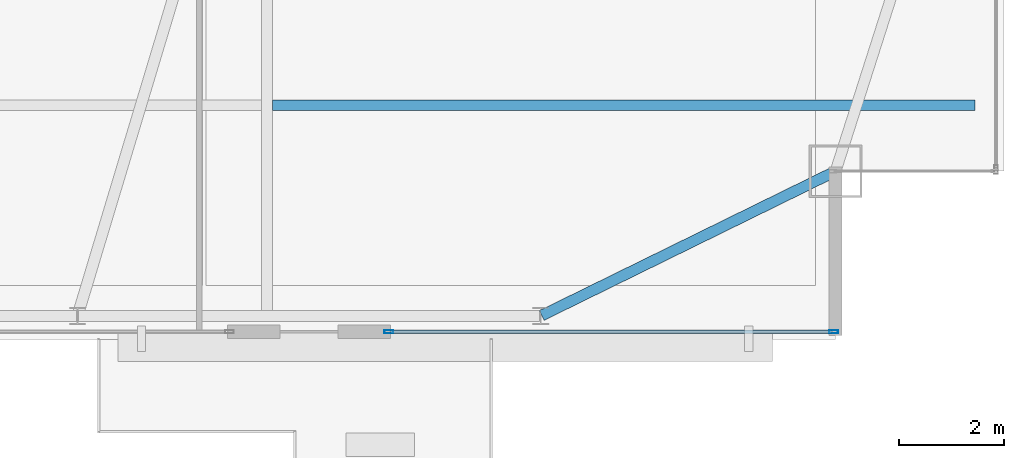
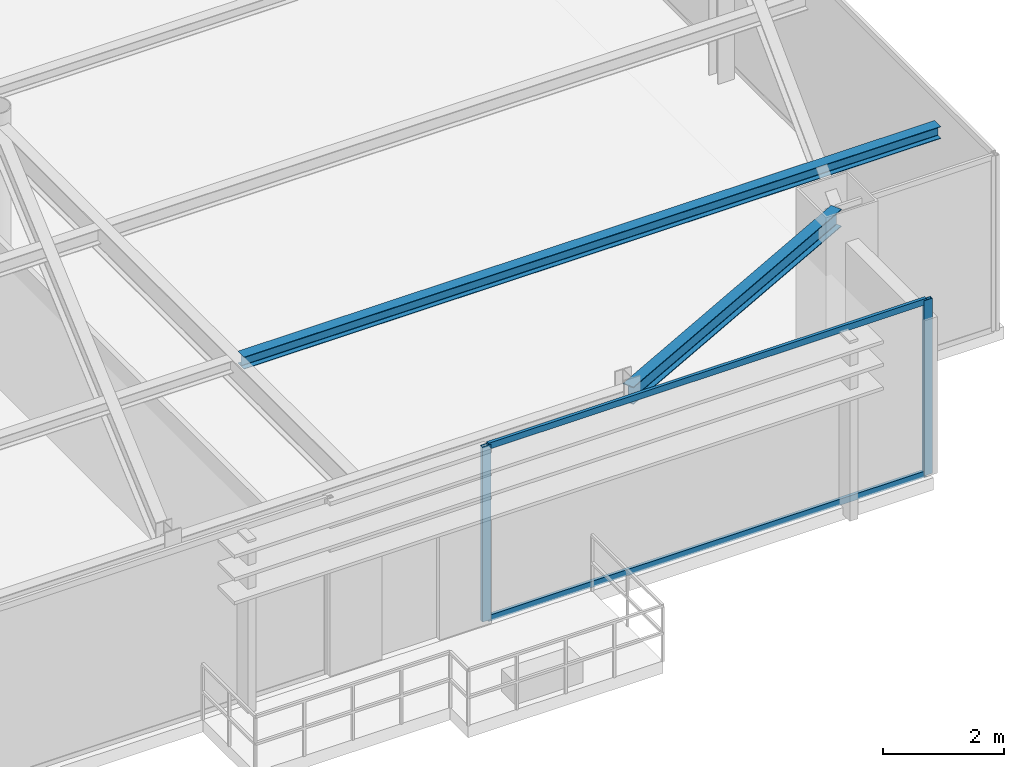
# One storey, part 11 of 23: 4 members, 2 beams, 1 element without a shape of its own.
"""IFC4 building model written with IfcOpenShell, lengths in metres."""

from ifc_helpers import new_model, si_unit, direction, frame, origin, origin_2d, place, context, subcontext, project, spatial, hollow_rectangle, i_section, extrude, source, transform, mapped, material, layer, layer_set, material_profile, profile_set, type_object, type_shapes, element, aggregate, save


model = new_model("IFC4")

# Units and contexts
model_context = context("Model", 3, precision=1e-05, world=origin(), true_north=direction((0.0, 1.0)))
body_context = subcontext(model_context, "Body", "Model", "MODEL_VIEW")
ifc_project = project(units=[si_unit("LENGTHUNIT", "METRE"), si_unit("AREAUNIT", "SQUARE_METRE"), si_unit("VOLUMEUNIT", "CUBIC_METRE"), si_unit("PLANEANGLEUNIT", "RADIAN"), si_unit("MASSUNIT", "GRAM", prefix="KILO")], contexts=[model_context])

# Site, building, storey
site_placement = place(None, origin())
site = spatial("IfcSite", under=ifc_project, at=site_placement, CompositionType="ELEMENT")
building_placement = place(site_placement, origin())
building = spatial("IfcBuilding", under=site, at=building_placement, Name="Varnel Quay Broadcast Tower", CompositionType="ELEMENT")
storey_placement = place(building_placement, frame((0.0, 0.0, 266.0)))
storey = spatial("IfcBuildingStorey", under=building, at=storey_placement, Name="L66", CompositionType="ELEMENT", Elevation=266.0)

# Beams
ifc_material_1 = material(Name="Structural Steel CSA G40.21 350W", Category="steel")
ifc_material_profile_1 = material_profile(ifc_material_1, i_section(OverallWidth=0.205078125, OverallDepth=0.35400390625, WebThickness=0.009521484375, FlangeThickness=0.016845703125, FilletRadius=0.012939453125, at=origin_2d()), Name="W360X79")
ifc_profile_set_1 = profile_set([ifc_material_profile_1], Name="Structural Steel CSA G40.21 350W")
beam_type_1 = type_object("IfcBeamType", Name="Beam_W360X79", PredefinedType="SPANDREL", material=ifc_profile_set_1)
shared_shape_1 = source(origin(), body_context, "Body", "SweptSolid", [
    extrude(i_section(OverallWidth=0.205078125, OverallDepth=0.35400390625, WebThickness=0.009521484375, FlangeThickness=0.016845703125, FilletRadius=0.012939453125, at=origin_2d()), origin(), (0.0, 0.0, 1.0), 6.19873046875),
])
type_shapes(beam_type_1, [shared_shape_1])
beam_1_placement = place(storey_placement, frame((47.218017578125, 13.65869140625, 3.373046875), z_axis=(0.897602447358, 0.440805905697, 0.0), x_axis=(-0.440805905697, 0.897602447358, 0.0)))
element("IfcBeam", 1, at=beam_1_placement, inside=storey, type_object=beam_type_1, Name="L66 South Spandrel TC-S4-MC-SE", PredefinedType="SPANDREL", context=body_context, shape_type="MappedRepresentation", body=[
    mapped(shared_shape_1, transform((0.0, 0.0, 0.0), x_axis=(1.0, 0.0, 0.0), y_axis=(0.0, 1.0, 0.0), z_axis=(0.0, 0.0, 1.0), scale=1.0)),
])
ifc_material_profile_2 = material_profile(ifc_material_1, i_section(OverallWidth=0.201904296875, OverallDepth=0.2470703125, WebThickness=0.00732421875, FlangeThickness=0.010986328125, FilletRadius=0.010986328125, at=origin_2d()), Name="W250X49")
ifc_profile_set_2 = profile_set([ifc_material_profile_2], Name="Structural Steel CSA G40.21 350W")
beam_type_2 = type_object("IfcBeamType", Name="Beam_W250X49", PredefinedType="JOIST", material=ifc_profile_set_2)
shared_shape_2 = source(origin(), body_context, "Body", "SweptSolid", [
    extrude(i_section(OverallWidth=0.201904296875, OverallDepth=0.2470703125, WebThickness=0.00732421875, FlangeThickness=0.010986328125, FilletRadius=0.010986328125, at=origin_2d()), origin(), (0.0, 0.0, 1.0), 13.351318359375),
])
type_shapes(beam_type_2, [shared_shape_2])
beam_2_placement = place(storey_placement, frame((42.10107421875, 17.64990234375, 3.426513671875), z_axis=(1.0, 0.0, 0.0), x_axis=(0.0, 1.0, 0.0)))
element("IfcBeam", 2, at=beam_2_placement, inside=storey, type_object=beam_type_2, Name="L66 East Floor Joist 1", PredefinedType="JOIST", context=body_context, shape_type="MappedRepresentation", body=[
    mapped(shared_shape_2, transform((0.0, 0.0, 0.0), x_axis=(1.0, 0.0, 0.0), y_axis=(0.0, 1.0, 0.0), z_axis=(0.0, 0.0, 1.0), scale=1.0)),
])

# Curtain wall, members
ifc_material_2 = material(Name="Anodised Bronze Aluminium 6063-T6", Category="aluminium")
ifc_layer = layer(ifc_material_2, 0.18994140625, Name="Anodised Bronze Aluminium 6063-T6")
ifc_layer_set = layer_set([ifc_layer], Name="Anodised Bronze Aluminium 6063-T6")
curtain_wall_type = type_object("IfcCurtainWallType", Name="CW_UpperTower", PredefinedType="NOTDEFINED", material=ifc_layer_set)
curtain_wall_placement = place(storey_placement, origin())
curtain_wall = element("IfcCurtainWall", 3, at=curtain_wall_placement, inside=storey, type_object=curtain_wall_type, Name="L66 South Unitised Curtain Wall 3", PredefinedType="NOTDEFINED")
ifc_material_profile_3 = material_profile(ifc_material_2, hollow_rectangle(XDim=0.06494140625, YDim=0.1650390625, WallThickness=0.00341796875, at=origin_2d()), Name="ALU65X165X3.5")
ifc_profile_set_3 = profile_set([ifc_material_profile_3], Name="Anodised Bronze Aluminium 6063-T6")
member_type_1 = type_object("IfcMemberType", Name="Mull_CWS-03", PredefinedType="MULLION", material=ifc_profile_set_3)
shared_shape_3 = source(origin(), body_context, "Body", "SweptSolid", [
    extrude(hollow_rectangle(XDim=0.06494140625, YDim=0.1650390625, WallThickness=0.00341796875, at=origin_2d()), origin(), (0.0, 0.0, 1.0), 3.550048828125),
])
type_shapes(member_type_1, [shared_shape_3])
member_1_placement = place(storey_placement, frame((44.3125, 13.35009765625, 0.0), z_axis=(0.0, 0.0, 1.0), x_axis=(0.0, 1.0, 0.0)))
member_1 = element("IfcMember", 4, at=member_1_placement, type_object=member_type_1, Name="CWS-03 mullion 1", PredefinedType="MULLION", context=body_context, shape_type="MappedRepresentation", body=[
    mapped(shared_shape_3, transform((0.0, 0.0, 0.0), x_axis=(1.0, 0.0, 0.0), y_axis=(0.0, 1.0, 0.0), z_axis=(0.0, 0.0, 1.0), scale=1.0)),
])
member_2_placement = place(storey_placement, frame((52.767578125, 13.35009765625, 0.0), z_axis=(0.0, 0.0, 1.0), x_axis=(0.0, 1.0, 0.0)))
member_2 = element("IfcMember", 5, at=member_2_placement, type_object=member_type_1, Name="CWS-03 mullion 2", PredefinedType="MULLION", context=body_context, shape_type="MappedRepresentation", body=[
    mapped(shared_shape_3, transform((0.0, 0.0, 0.0), x_axis=(1.0, 0.0, 0.0), y_axis=(0.0, 1.0, 0.0), z_axis=(0.0, 0.0, 1.0), scale=1.0)),
])
ifc_material_profile_4 = material_profile(ifc_material_2, hollow_rectangle(XDim=0.06005859375, YDim=0.125, WallThickness=0.0029296875, at=origin_2d()), Name="ALU60X125X3")
ifc_profile_set_4 = profile_set([ifc_material_profile_4], Name="Anodised Bronze Aluminium 6063-T6")
member_type_2 = type_object("IfcMemberType", Name="Tran_CWS-03", PredefinedType="USERDEFINED", material=ifc_profile_set_4)
shared_shape_4 = source(origin(), body_context, "Body", "SweptSolid", [
    extrude(hollow_rectangle(XDim=0.06005859375, YDim=0.125, WallThickness=0.0029296875, at=origin_2d()), origin(), (0.0, 0.0, 1.0), 8.39013671875),
])
type_shapes(member_type_2, [shared_shape_4])
member_3_placement = place(storey_placement, frame((44.344970703125, 13.35009765625, 0.030029296875), z_axis=(1.0, 0.0, 0.0), x_axis=(0.0, 1.0, 0.0)))
member_3 = element("IfcMember", 6, at=member_3_placement, type_object=member_type_2, Name="CWS-03 transom 1.1", ObjectType="TRANSOM", PredefinedType="USERDEFINED", context=body_context, shape_type="MappedRepresentation", body=[
    mapped(shared_shape_4, transform((0.0, 0.0, 0.0), x_axis=(1.0, 0.0, 0.0), y_axis=(0.0, 1.0, 0.0), z_axis=(0.0, 0.0, 1.0), scale=1.0)),
])
member_4_placement = place(storey_placement, frame((44.344970703125, 13.35009765625, 3.52001953125), z_axis=(1.0, 0.0, 0.0), x_axis=(0.0, 1.0, 0.0)))
member_4 = element("IfcMember", 7, at=member_4_placement, type_object=member_type_2, Name="CWS-03 transom 1.2", ObjectType="TRANSOM", PredefinedType="USERDEFINED", context=body_context, shape_type="MappedRepresentation", body=[
    mapped(shared_shape_4, transform((0.0, 0.0, 0.0), x_axis=(1.0, 0.0, 0.0), y_axis=(0.0, 1.0, 0.0), z_axis=(0.0, 0.0, 1.0), scale=1.0)),
])
aggregate(curtain_wall, [member_1, member_2, member_3, member_4])

save(model, "model.ifc")
